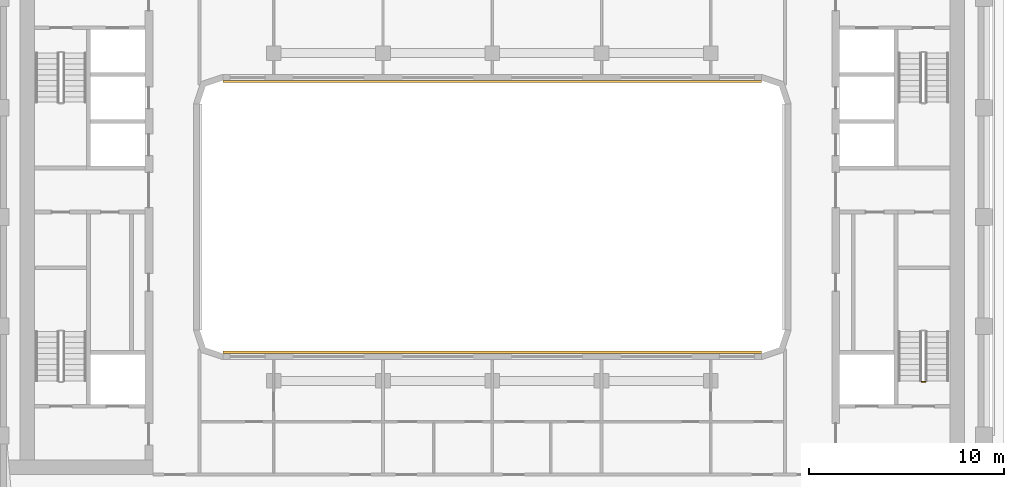
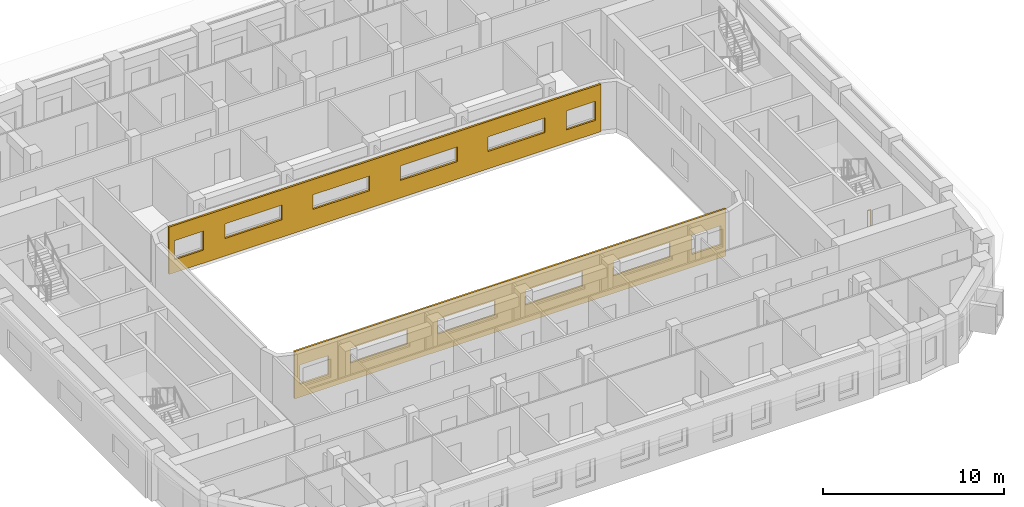
# One storey, part 15 of 21: 2 coverings, 1 railing.
"""IFC4 building model written with IfcOpenShell, lengths in metres."""

from ifc_helpers import new_model, si_unit, direction, frame, origin, origin_2d, place, context, subcontext, project, spatial, polyline, circle, outline, extrude, material, layer, layer_set, type_object, element, save


model = new_model("IFC4")

# Units and contexts
model_context = context("Model", 3, precision=1e-05, world=origin(), true_north=direction((0.0, 1.0)))
body_context = subcontext(model_context, "Body", "Model", "MODEL_VIEW")
ifc_project = project(units=[si_unit("LENGTHUNIT", "METRE"), si_unit("AREAUNIT", "SQUARE_METRE"), si_unit("VOLUMEUNIT", "CUBIC_METRE"), si_unit("PLANEANGLEUNIT", "RADIAN"), si_unit("MASSUNIT", "GRAM", prefix="KILO")], contexts=[model_context])

# Site, building, storey
site_placement = place(None, origin())
site = spatial("IfcSite", under=ifc_project, at=site_placement, CompositionType="ELEMENT")
building_placement = place(site_placement, origin())
building = spatial("IfcBuilding", under=site, at=building_placement, Name="Kiln Ring Residences", CompositionType="ELEMENT")
storey_placement = place(building_placement, frame((0.0, 0.0, 223.89990234375)))
storey = spatial("IfcBuildingStorey", under=building, at=storey_placement, Name="L58", CompositionType="ELEMENT", Elevation=223.89990234375)

# Railing
ifc_material_1 = material(Name="Stainless steel", Category="steel")
railing_type = type_object("IfcRailingType", Name="CORE-STAIR-GUARD", PredefinedType="GUARDRAIL", material=ifc_material_1)
railing_placement = place(storey_placement, frame((22.199951171875, -8.449951171875, 0.0)))
element("IfcRailing", 1, at=railing_placement, inside=storey, type_object=railing_type, Name="L58 E-STS stair guard 4", PredefinedType="GUARDRAIL", context=body_context, shape_type="SweptSolid", body=[
    extrude(circle(Radius=0.02392578125, at=origin_2d()), frame((0.0, 0.0, 1.076171875), z_axis=(-1.0, 0.0, 0.0), x_axis=(0.0, -1.0, 0.0)), (0.0, 0.0, 1.0), 0.199951171875),
    extrude(circle(Radius=0.02099609375, at=origin_2d()), origin(), (0.0, 0.0, 1.0), 1.052001953125),
    extrude(circle(Radius=0.02099609375, at=origin_2d()), frame((-0.199951171875, 0.0, 0.0)), (0.0, 0.0, 1.0), 1.052001953125),
])

# Coverings
ifc_material_2 = material(Name="Brick masonry, dark clay brick", Category="masonry")
ifc_layer = layer(ifc_material_2, 0.1201171875)
ifc_layer_set = layer_set([ifc_layer], Name="RAINSCREEN PANEL 120")
covering_type = type_object("IfcCoveringType", Name="RAINSCREEN PANEL 120", PredefinedType="CLADDING", material=ifc_layer_set)
for number, where, z_axis, x_axis, name in (
    (2, (-13.800048828125, 6.93994140625, 0.0), (0.0, 0.0, 1.0), (1.0, 0.0, 0.0), "RAINSCREEN L58"),
    (3, (13.800048828125, -6.93994140625, 0.0), (0.0, 0.0, 1.0), (-1.0, 0.0, 0.0), "RAINSCREEN L58"),
):
    element("IfcCovering", number, at=place(storey_placement, frame(where, z_axis=z_axis, x_axis=x_axis)), inside=storey, type_object=covering_type, Name=name, PredefinedType="CLADDING", context=body_context, shape_type="SweptSolid", body=[
        extrude(outline(polyline([(0.0, 0.0), (27.60009765625, 0.0), (27.60009765625, 3.2001953125), (0.0, 3.2001953125), (0.0, 0.0)]), holes=[polyline([(2.1826171875, 0.880126953125), (2.1826171875, 2.170166015625), (0.342529296875, 2.170166015625), (0.342529296875, 0.880126953125), (2.1826171875, 0.880126953125)]), polyline([(25.41748046875, 0.880126953125), (27.257568359375, 0.880126953125), (27.257568359375, 2.170166015625), (25.41748046875, 2.170166015625), (25.41748046875, 0.880126953125)]), polyline([(3.580078125, 1.18017578125), (7.219970703125, 1.18017578125), (7.219970703125, 2.170166015625), (3.580078125, 2.170166015625), (3.580078125, 1.18017578125)]), polyline([(12.820068359375, 1.18017578125), (12.820068359375, 2.170166015625), (9.179931640625, 2.170166015625), (9.179931640625, 1.18017578125), (12.820068359375, 1.18017578125)]), polyline([(14.780029296875, 1.18017578125), (18.419921875, 1.18017578125), (18.419921875, 2.170166015625), (14.780029296875, 2.170166015625), (14.780029296875, 1.18017578125)]), polyline([(20.3798828125, 1.18017578125), (24.02001953125, 1.18017578125), (24.02001953125, 2.170166015625), (20.3798828125, 2.170166015625), (20.3798828125, 1.18017578125)])]), frame((0.0, 0.06005859375, 0.0), z_axis=(0.0, -1.0, 0.0), x_axis=(1.0, 0.0, 0.0)), (0.0, 0.0, 1.0), 0.1201171875),
    ])

save(model, "model.ifc")
